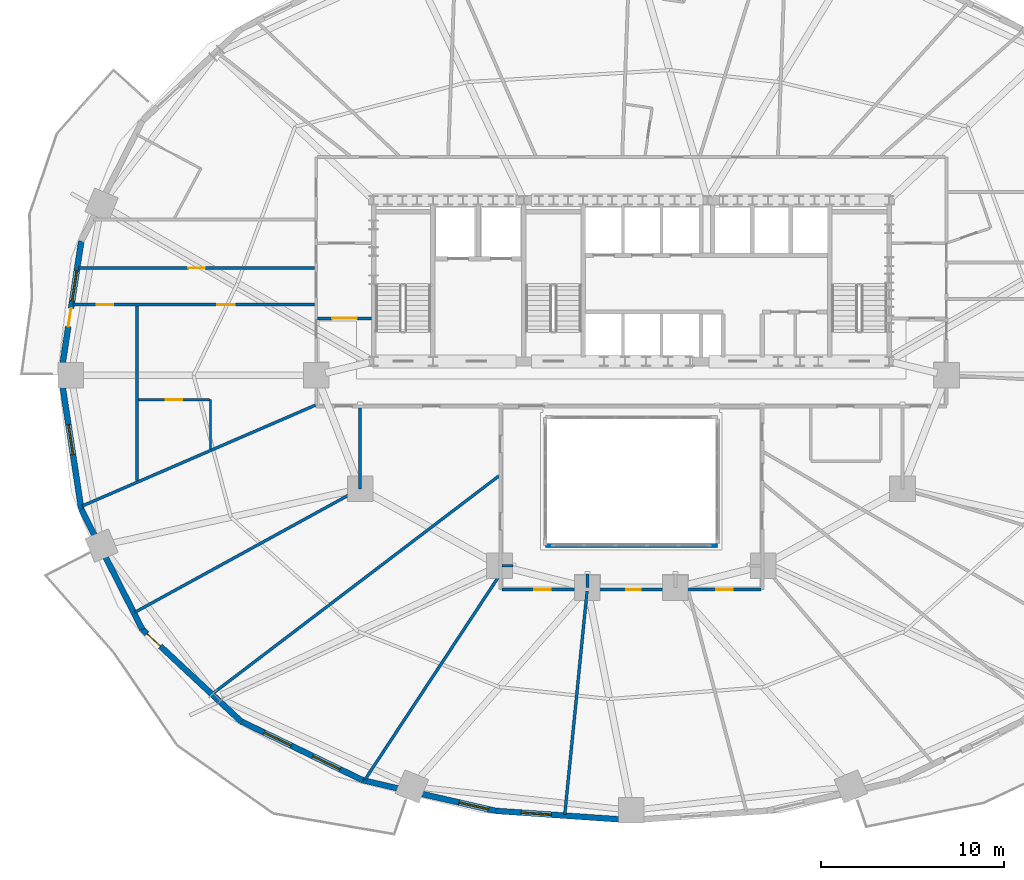
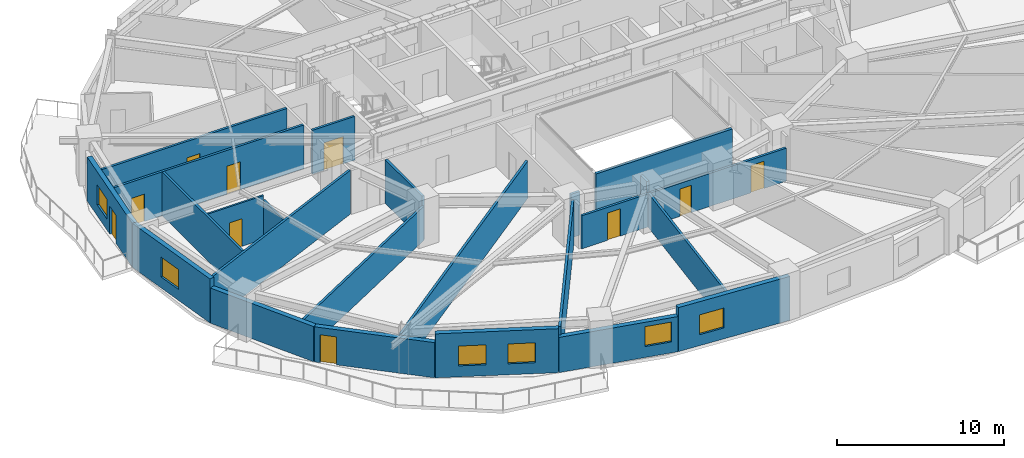
# One storey, part 9 of 18: 23 walls, 10 doors, 6 windows, 16 openings.
"""IFC4 building model written with IfcOpenShell, lengths in metres."""

from ifc_helpers import new_model, si_unit, direction, frame, frame_2d, origin, place, context, subcontext, project, spatial, rectangle, extrude, material, layer, layer_set, type_object, element, fill, save


model = new_model("IFC4")

# Units and contexts
model_context = context("Model", 3, precision=1e-05, world=origin(), true_north=direction((0.0, 1.0)))
body_context = subcontext(model_context, "Body", "Model", "MODEL_VIEW")
ifc_project = project(units=[si_unit("LENGTHUNIT", "METRE"), si_unit("AREAUNIT", "SQUARE_METRE"), si_unit("VOLUMEUNIT", "CUBIC_METRE"), si_unit("PLANEANGLEUNIT", "RADIAN"), si_unit("MASSUNIT", "GRAM", prefix="KILO")], contexts=[model_context])

# Site, building, storey
site_placement = place(None, origin())
site = spatial("IfcSite", under=ifc_project, at=site_placement, CompositionType="ELEMENT")
building_placement = place(site_placement, origin())
building = spatial("IfcBuilding", under=site, at=building_placement, Name="Haldorwick Loom Tower", CompositionType="ELEMENT")
storey_placement = place(building_placement, frame((0.0, 0.0, 48.14990234375)))
storey = spatial("IfcBuildingStorey", under=building, at=storey_placement, Name="L12", CompositionType="ELEMENT", Elevation=48.14990234375)

# Wall, openings, door, window
ifc_material_1 = material(Name="Pressed Clay Face Brick and Insulated Masonry Backup Assembly", Category="masonry")
ifc_layer_1 = layer(ifc_material_1, 0.320068359375, Name="Pressed Clay Face Brick and Insulated Masonry Backup Assembly", Category="masonry")
ifc_layer_set_1 = layer_set([ifc_layer_1], Name="Pressed Clay Face Brick and Insulated Masonry Backup Assembly")
wall_type_1 = type_object("IfcWallType", Name="ARC-WL-EXT320", PredefinedType="STANDARD", material=ifc_layer_set_1)
wall_1_placement = place(storey_placement, frame((5.978271484375, 33.320556640625, 0.0), z_axis=(0.0, 0.0, 1.0), x_axis=(-0.150476322528, -0.988613613278, 0.0)))
wall_1 = element("IfcWall", 1, at=wall_1_placement, inside=storey, type_object=wall_type_1, Name="L12 Brick Pier and Spandrel Wall 12", PredefinedType="STANDARD", context=body_context, shape_type="SweptSolid", body=[
    extrude(rectangle(XDim=7.40478515625, YDim=0.320068359375, at=frame_2d((3.702392578125, 0.0))), origin(), (0.0, 0.0, 1.0), 3.210205078125),
])
opening_1_placement = place(wall_1_placement, frame((3.714599609375, 0.0, 0.0)))
opening_1 = element("IfcOpeningElement", 2, at=opening_1_placement, cuts=wall_1, Name="Opening D-BL10", PredefinedType="OPENING", context=body_context, shape_type="SweptSolid", body=[
    extrude(rectangle(XDim=1.0, YDim=2.0400390625, at=frame_2d((0.5, 1.02001953125))), frame((0.0, 0.169921875, 0.0), z_axis=(0.0, -1.0, 0.0), x_axis=(1.0, 0.0, 0.0)), (0.0, 0.0, 1.0), 0.340087890625),
])
opening_2_placement = place(wall_1_placement, frame((1.653564453125, 0.0, 0.800048828125)))
opening_2 = element("IfcOpeningElement", 3, at=opening_2_placement, cuts=wall_1, Name="Opening W-01B", PredefinedType="OPENING", context=body_context, shape_type="SweptSolid", body=[
    extrude(rectangle(XDim=1.64990234375, YDim=1.449951171875, at=frame_2d((0.824951171875, 0.72509765625))), frame((0.0, 0.169921875, 0.0), z_axis=(0.0, -1.0, 0.0), x_axis=(1.0, 0.0, 0.0)), (0.0, 0.0, 1.0), 0.340087890625),
])
ifc_material_2 = material(Name="Thermally Broken Anodized Aluminium Curtain Wall Framing", Category="aluminium")
door_type_1 = type_object("IfcDoorType", Name="ARC-DR-BAL100", OperationType="NOTDEFINED", PredefinedType="DOOR", material=ifc_material_2)
door_1_placement = place(opening_1_placement, origin())
door_1 = element("IfcDoor", 4, at=door_1_placement, inside=storey, type_object=door_type_1, Name="L12 Outdoor Terrace Door SLB-L12-BAL_WNW", OperationType="SINGLE_SWING_LEFT", OverallHeight=2.0400390625, OverallWidth=1.0, PredefinedType="DOOR", context=body_context, shape_type="SweptSolid", body=[
    extrude(rectangle(XDim=1.0, YDim=2.0400390625, at=frame_2d((0.5, 1.02001953125))), frame((0.0, 0.02490234375, 0.0), z_axis=(0.0, -1.0, 0.0), x_axis=(1.0, 0.0, 0.0)), (0.0, 0.0, 1.0), 0.050048828125),
])
fill(opening_1, door_1)
ifc_material_3 = material(Name="Triple-Glazed Low-E Argon Insulated Glazing Unit", Category="glass")
window_type = type_object("IfcWindowType", Name="ARC-WIN-W165", PartitioningType="SINGLE_PANEL", PredefinedType="WINDOW", material=ifc_material_3)
window_1_placement = place(opening_2_placement, origin())
window_1 = element("IfcWindow", 5, at=window_1_placement, inside=storey, type_object=window_type, Name="L12 Deep-Set Zone 7A Window 12", OverallHeight=1.449951171875, OverallWidth=1.64990234375, PartitioningType="SINGLE_PANEL", PredefinedType="WINDOW", context=body_context, shape_type="SweptSolid", body=[
    extrude(rectangle(XDim=1.64990234375, YDim=1.449951171875, at=frame_2d((0.824951171875, 0.72509765625))), frame((0.0, 0.030029296875, 0.0), z_axis=(0.0, -1.0, 0.0), x_axis=(1.0, 0.0, 0.0)), (0.0, 0.0, 1.0), 0.06005859375),
])
fill(opening_2, window_1)

# Wall, opening, window
wall_2_placement = place(storey_placement, frame((4.864013671875, 26.0, 0.0), z_axis=(0.0, 0.0, 1.0), x_axis=(0.150476322528, -0.988613613278, 0.0)))
wall_2 = element("IfcWall", 6, at=wall_2_placement, inside=storey, type_object=wall_type_1, Name="L12 Brick Pier and Spandrel Wall 13", PredefinedType="STANDARD", context=body_context, shape_type="SweptSolid", body=[
    extrude(rectangle(XDim=7.40478515625, YDim=0.320068359375, at=frame_2d((3.702392578125, 0.0))), origin(), (0.0, 0.0, 1.0), 3.210205078125),
])
opening_3_placement = place(wall_2_placement, frame((2.728271484375, 0.0, 0.800048828125)))
opening_3 = element("IfcOpeningElement", 7, at=opening_3_placement, cuts=wall_2, Name="Opening W-01B", PredefinedType="OPENING", context=body_context, shape_type="SweptSolid", body=[
    extrude(rectangle(XDim=1.64990234375, YDim=1.449951171875, at=frame_2d((0.824951171875, 0.72509765625))), frame((0.0, 0.169921875, 0.0), z_axis=(0.0, -1.0, 0.0), x_axis=(1.0, 0.0, 0.0)), (0.0, 0.0, 1.0), 0.340087890625),
])
window_2_placement = place(opening_3_placement, origin())
window_2 = element("IfcWindow", 8, at=window_2_placement, inside=storey, type_object=window_type, Name="L12 Deep-Set Zone 7A Window 13", OverallHeight=1.449951171875, OverallWidth=1.64990234375, PartitioningType="SINGLE_PANEL", PredefinedType="WINDOW", context=body_context, shape_type="SweptSolid", body=[
    extrude(rectangle(XDim=1.64990234375, YDim=1.449951171875, at=frame_2d((0.824951171875, 0.72509765625))), frame((0.0, 0.030029296875, 0.0), z_axis=(0.0, -1.0, 0.0), x_axis=(1.0, 0.0, 0.0)), (0.0, 0.0, 1.0), 0.06005859375),
])
fill(opening_3, window_2)

# Wall
wall_3_placement = place(storey_placement, frame((5.978271484375, 18.679443359375, 0.0), z_axis=(0.0, 0.0, 1.0), x_axis=(0.452950855928, -0.891535485617, 0.0)))
element("IfcWall", 9, at=wall_3_placement, inside=storey, type_object=wall_type_1, Name="L12 Brick Pier and Spandrel Wall 14", PredefinedType="STANDARD", context=body_context, shape_type="SweptSolid", body=[
    extrude(rectangle(XDim=7.3583984375, YDim=0.320068359375, at=frame_2d((3.67919921875, 0.0))), origin(), (0.0, 0.0, 1.0), 2.569091796875),
])

# Wall, opening, door
wall_4_placement = place(storey_placement, frame((9.311279296875, 12.119140625, 0.0), z_axis=(0.0, 0.0, 1.0), x_axis=(0.73176101237, -0.681561311091, 0.0)))
wall_4 = element("IfcWall", 10, at=wall_4_placement, inside=storey, type_object=wall_type_1, Name="L12 Brick Pier and Spandrel Wall 15", PredefinedType="STANDARD", context=body_context, shape_type="SweptSolid", body=[
    extrude(rectangle(XDim=7.3583984375, YDim=0.320068359375, at=frame_2d((3.67919921875, 0.0))), origin(), (0.0, 0.0, 1.0), 2.569091796875),
])
opening_4_placement = place(wall_4_placement, frame((0.340087890625, 0.0, 0.0)))
opening_4 = element("IfcOpeningElement", 11, at=opening_4_placement, cuts=wall_4, Name="Opening D-BL10", PredefinedType="OPENING", context=body_context, shape_type="SweptSolid", body=[
    extrude(rectangle(XDim=1.0, YDim=2.0400390625, at=frame_2d((0.5, 1.02001953125))), frame((0.0, 0.169921875, 0.0), z_axis=(0.0, -1.0, 0.0), x_axis=(1.0, 0.0, 0.0)), (0.0, 0.0, 1.0), 0.340087890625),
])
door_2_placement = place(opening_4_placement, origin())
door_2 = element("IfcDoor", 12, at=door_2_placement, inside=storey, type_object=door_type_1, Name="L12 Outdoor Terrace Door SLB-L12-BAL_SW", OperationType="SINGLE_SWING_LEFT", OverallHeight=2.0400390625, OverallWidth=1.0, PredefinedType="DOOR", context=body_context, shape_type="SweptSolid", body=[
    extrude(rectangle(XDim=1.0, YDim=2.0400390625, at=frame_2d((0.5, 1.02001953125))), frame((0.0, 0.02490234375, 0.0), z_axis=(0.0, -1.0, 0.0), x_axis=(1.0, 0.0, 0.0)), (0.0, 0.0, 1.0), 0.050048828125),
])
fill(opening_4, door_2)

# Wall, openings, windows
wall_5_placement = place(storey_placement, frame((14.69580078125, 7.10400390625, 0.0), z_axis=(0.0, 0.0, 1.0), x_axis=(0.900295710431, -0.435278800057, 0.0)))
wall_5 = element("IfcWall", 13, at=wall_5_placement, inside=storey, type_object=wall_type_1, Name="L12 Brick Pier and Spandrel Wall 16", PredefinedType="STANDARD", context=body_context, shape_type="SweptSolid", body=[
    extrude(rectangle(XDim=7.39697265625, YDim=0.320068359375, at=frame_2d((3.698486328125, 0.0))), origin(), (0.0, 0.0, 1.0), 3.210205078125),
])
opening_5_placement = place(wall_5_placement, frame((1.39404296875, 0.0, 0.800048828125)))
opening_5 = element("IfcOpeningElement", 14, at=opening_5_placement, cuts=wall_5, Name="Opening W-01B", PredefinedType="OPENING", context=body_context, shape_type="SweptSolid", body=[
    extrude(rectangle(XDim=1.64990234375, YDim=1.449951171875, at=frame_2d((0.824951171875, 0.72509765625))), frame((0.0, 0.169921875, 0.0), z_axis=(0.0, -1.0, 0.0), x_axis=(1.0, 0.0, 0.0)), (0.0, 0.0, 1.0), 0.340087890625),
])
opening_6_placement = place(wall_5_placement, frame((4.352783203125, 0.0, 0.800048828125)))
opening_6 = element("IfcOpeningElement", 15, at=opening_6_placement, cuts=wall_5, Name="Opening W-01B", PredefinedType="OPENING", context=body_context, shape_type="SweptSolid", body=[
    extrude(rectangle(XDim=1.64990234375, YDim=1.449951171875, at=frame_2d((0.824951171875, 0.72509765625))), frame((0.0, 0.169921875, 0.0), z_axis=(0.0, -1.0, 0.0), x_axis=(1.0, 0.0, 0.0)), (0.0, 0.0, 1.0), 0.340087890625),
])
window_3_placement = place(opening_5_placement, origin())
window_3 = element("IfcWindow", 16, at=window_3_placement, inside=storey, type_object=window_type, Name="L12 Deep-Set Zone 7A Window 16", OverallHeight=1.449951171875, OverallWidth=1.64990234375, PartitioningType="SINGLE_PANEL", PredefinedType="WINDOW", context=body_context, shape_type="SweptSolid", body=[
    extrude(rectangle(XDim=1.64990234375, YDim=1.449951171875, at=frame_2d((0.824951171875, 0.72509765625))), frame((0.0, 0.030029296875, 0.0), z_axis=(0.0, -1.0, 0.0), x_axis=(1.0, 0.0, 0.0)), (0.0, 0.0, 1.0), 0.06005859375),
])
fill(opening_5, window_3)
window_4_placement = place(opening_6_placement, origin())
window_4 = element("IfcWindow", 17, at=window_4_placement, inside=storey, type_object=window_type, Name="L12 Deep-Set Zone 7A Window 16", OverallHeight=1.449951171875, OverallWidth=1.64990234375, PartitioningType="SINGLE_PANEL", PredefinedType="WINDOW", context=body_context, shape_type="SweptSolid", body=[
    extrude(rectangle(XDim=1.64990234375, YDim=1.449951171875, at=frame_2d((0.824951171875, 0.72509765625))), frame((0.0, 0.030029296875, 0.0), z_axis=(0.0, -1.0, 0.0), x_axis=(1.0, 0.0, 0.0)), (0.0, 0.0, 1.0), 0.06005859375),
])
fill(opening_6, window_4)

# Wall, opening, window
wall_6_placement = place(storey_placement, frame((21.355224609375, 3.88427734375, 0.0), z_axis=(0.0, 0.0, 1.0), x_axis=(0.974522412345, -0.224290142088, 0.0)))
wall_6 = element("IfcWall", 18, at=wall_6_placement, inside=storey, type_object=wall_type_1, Name="L12 Brick Pier and Spandrel Wall 17", PredefinedType="STANDARD", context=body_context, shape_type="SweptSolid", body=[
    extrude(rectangle(XDim=7.422607421875, YDim=0.320068359375, at=frame_2d((3.71142578125, 0.0))), origin(), (0.0, 0.0, 1.0), 2.569091796875),
])
opening_7_placement = place(wall_6_placement, frame((5.37255859375, 0.0, 0.800048828125)))
opening_7 = element("IfcOpeningElement", 19, at=opening_7_placement, cuts=wall_6, Name="Opening W-01B", PredefinedType="OPENING", context=body_context, shape_type="SweptSolid", body=[
    extrude(rectangle(XDim=1.64990234375, YDim=1.449951171875, at=frame_2d((0.824951171875, 0.72509765625))), frame((0.0, 0.169921875, 0.0), z_axis=(0.0, -1.0, 0.0), x_axis=(1.0, 0.0, 0.0)), (0.0, 0.0, 1.0), 0.340087890625),
])
window_5_placement = place(opening_7_placement, origin())
window_5 = element("IfcWindow", 20, at=window_5_placement, inside=storey, type_object=window_type, Name="L12 Deep-Set Zone 7A Window 17", OverallHeight=1.449951171875, OverallWidth=1.64990234375, PartitioningType="SINGLE_PANEL", PredefinedType="WINDOW", context=body_context, shape_type="SweptSolid", body=[
    extrude(rectangle(XDim=1.64990234375, YDim=1.449951171875, at=frame_2d((0.824951171875, 0.72509765625))), frame((0.0, 0.030029296875, 0.0), z_axis=(0.0, -1.0, 0.0), x_axis=(1.0, 0.0, 0.0)), (0.0, 0.0, 1.0), 0.06005859375),
])
fill(opening_7, window_5)

wall_7_placement = place(storey_placement, frame((28.588623046875, 2.219482421875, 0.0), z_axis=(0.0, 0.0, 1.0), x_axis=(0.997645161917, -0.068586667092, 0.0)))
wall_7 = element("IfcWall", 21, at=wall_7_placement, inside=storey, type_object=wall_type_1, Name="L12 Brick Pier and Spandrel Wall 18", PredefinedType="STANDARD", context=body_context, shape_type="SweptSolid", body=[
    extrude(rectangle(XDim=7.428955078125, YDim=0.320068359375, at=frame_2d((3.71435546875, 0.0))), origin(), (0.0, 0.0, 1.0), 3.210205078125),
])
opening_8_placement = place(wall_7_placement, frame((1.403564453125, 0.0, 0.800048828125)))
opening_8 = element("IfcOpeningElement", 22, at=opening_8_placement, cuts=wall_7, Name="Opening W-01B", PredefinedType="OPENING", context=body_context, shape_type="SweptSolid", body=[
    extrude(rectangle(XDim=1.64990234375, YDim=1.449951171875, at=frame_2d((0.824951171875, 0.72509765625))), frame((0.0, 0.169921875, 0.0), z_axis=(0.0, -1.0, 0.0), x_axis=(1.0, 0.0, 0.0)), (0.0, 0.0, 1.0), 0.340087890625),
])
window_6_placement = place(opening_8_placement, origin())
window_6 = element("IfcWindow", 23, at=window_6_placement, inside=storey, type_object=window_type, Name="L12 Deep-Set Zone 7A Window 18", OverallHeight=1.449951171875, OverallWidth=1.64990234375, PartitioningType="SINGLE_PANEL", PredefinedType="WINDOW", context=body_context, shape_type="SweptSolid", body=[
    extrude(rectangle(XDim=1.64990234375, YDim=1.449951171875, at=frame_2d((0.824951171875, 0.72509765625))), frame((0.0, 0.030029296875, 0.0), z_axis=(0.0, -1.0, 0.0), x_axis=(1.0, 0.0, 0.0)), (0.0, 0.0, 1.0), 0.06005859375),
])
fill(opening_8, window_6)

# Wall, opening, door
ifc_material_4 = material(Name="Fire-Rated Type X Gypsum Stud Assembly EI 60")
ifc_layer_2 = layer(ifc_material_4, 0.159912109375, Name="Fire-Rated Type X Gypsum Stud Assembly EI 60")
ifc_layer_set_2 = layer_set([ifc_layer_2], Name="Fire-Rated Type X Gypsum Stud Assembly EI 60")
wall_type_2 = type_object("IfcWallType", Name="ARC-WL-FIRE160", PredefinedType="PARTITIONING", material=ifc_layer_set_2)
wall_8_placement = place(storey_placement, frame((18.883056640625, 29.10009765625, 0.0), z_axis=(0.0, 0.0, 1.0), x_axis=(1.0, 0.0, 0.0)))
wall_8 = element("IfcWall", 24, at=wall_8_placement, inside=storey, type_object=wall_type_2, Name="L12 Residential Fire Partition L12-CR-WSJ", PredefinedType="PARTITIONING", context=body_context, shape_type="SweptSolid", body=[
    extrude(rectangle(XDim=2.923828125, YDim=0.159912109375, at=frame_2d((1.4619140625, 0.0))), origin(), (0.0, 0.0, 1.0), 3.195068359375),
])
opening_9_placement = place(wall_8_placement, frame((0.787109375, 0.0, 0.0)))
opening_9 = element("IfcOpeningElement", 25, at=opening_9_placement, cuts=wall_8, Name="Opening D-CR15", PredefinedType="OPENING", context=body_context, shape_type="SweptSolid", body=[
    extrude(rectangle(XDim=1.35009765625, YDim=2.0, at=frame_2d((0.675048828125, 1.0))), frame((0.0, 0.08984375, 0.0), z_axis=(0.0, -1.0, 0.0), x_axis=(1.0, 0.0, 0.0)), (0.0, 0.0, 1.0), 0.179931640625),
])
ifc_material_5 = material(Name="Thermally Broken Anodized Aluminium and Tempered Glass", Category="aluminium")
door_type_2 = type_object("IfcDoorType", Name="ARC-DR-COR150", OperationType="NOTDEFINED", PredefinedType="DOOR", material=ifc_material_5)
door_3_placement = place(opening_9_placement, origin())
door_3 = element("IfcDoor", 26, at=door_3_placement, inside=storey, type_object=door_type_2, Name="L12 L12 West Residential Corridor to L12 Central Residential Corridor Do", OperationType="DOUBLE_DOOR_SINGLE_SWING", OverallHeight=2.0, OverallWidth=1.35009765625, PredefinedType="DOOR", context=body_context, shape_type="SweptSolid", body=[
    extrude(rectangle(XDim=1.35009765625, YDim=2.0, at=frame_2d((0.675048828125, 1.0))), frame((0.0, 0.02490234375, 0.0), z_axis=(0.0, -1.0, 0.0), x_axis=(1.0, 0.0, 0.0)), (0.0, 0.0, 1.0), 0.050048828125),
])
fill(opening_9, door_3)

# Wall, openings, doors
wall_9_placement = place(storey_placement, frame((28.93310546875, 14.300048828125, 0.0), z_axis=(0.0, 0.0, 1.0), x_axis=(1.0, 0.0, 0.0)))
wall_9 = element("IfcWall", 27, at=wall_9_placement, inside=storey, type_object=wall_type_2, Name="L12 Residential Fire Partition L12-CR-AS", PredefinedType="PARTITIONING", context=body_context, shape_type="SweptSolid", body=[
    extrude(rectangle(XDim=14.1337890625, YDim=0.159912109375, at=frame_2d((7.06689453125, 0.0))), origin(), (0.0, 0.0, 1.0), 2.412109375),
])
opening_10_placement = place(wall_9_placement, frame((1.77880859375, 0.0, 0.0)))
opening_10 = element("IfcOpeningElement", 28, at=opening_10_placement, cuts=wall_9, Name="Opening D-FD60A", PredefinedType="OPENING", context=body_context, shape_type="SweptSolid", body=[
    extrude(rectangle(XDim=0.89990234375, YDim=2.0, at=frame_2d((0.449951171875, 1.0))), frame((0.0, 0.08984375, 0.0), z_axis=(0.0, -1.0, 0.0), x_axis=(1.0, 0.0, 0.0)), (0.0, 0.0, 1.0), 0.179931640625),
])
opening_11_placement = place(wall_9_placement, frame((11.6962890625, 0.0, 0.0)))
opening_11 = element("IfcOpeningElement", 29, at=opening_11_placement, cuts=wall_9, Name="Opening D-FD60A", PredefinedType="OPENING", context=body_context, shape_type="SweptSolid", body=[
    extrude(rectangle(XDim=0.89990234375, YDim=2.0, at=frame_2d((0.449951171875, 1.0))), frame((0.0, 0.08984375, 0.0), z_axis=(0.0, -1.0, 0.0), x_axis=(1.0, 0.0, 0.0)), (0.0, 0.0, 1.0), 0.179931640625),
])
opening_12_placement = place(wall_9_placement, frame((6.77880859375, 0.0, 0.0)))
opening_12 = element("IfcOpeningElement", 30, at=opening_12_placement, cuts=wall_9, Name="Opening D-FD80", PredefinedType="OPENING", context=body_context, shape_type="SweptSolid", body=[
    extrude(rectangle(XDim=0.800048828125, YDim=2.0, at=frame_2d((0.39990234375, 1.0))), frame((0.0, 0.08984375, 0.0), z_axis=(0.0, -1.0, 0.0), x_axis=(1.0, 0.0, 0.0)), (0.0, 0.0, 1.0), 0.179931640625),
])
ifc_material_6 = material(Name="Hollow Steel Fire Door Assembly", Category="steel")
door_type_3 = type_object("IfcDoorType", Name="ARC-DR-FD60-80", OperationType="NOTDEFINED", PredefinedType="DOOR", material=ifc_material_6)
door_4_placement = place(opening_12_placement, origin())
door_4 = element("IfcDoor", 31, at=door_4_placement, inside=storey, type_object=door_type_3, Name="L12 L12 South Atrium Corridor to Community Teaching Classroom 8 Door", OperationType="SINGLE_SWING_LEFT", OverallHeight=2.0, OverallWidth=0.800048828125, PredefinedType="DOOR", context=body_context, shape_type="SweptSolid", body=[
    extrude(rectangle(XDim=0.800048828125, YDim=2.0, at=frame_2d((0.39990234375, 1.0))), frame((0.0, 0.02490234375, 0.0), z_axis=(0.0, -1.0, 0.0), x_axis=(1.0, 0.0, 0.0)), (0.0, 0.0, 1.0), 0.050048828125),
])
fill(opening_12, door_4)
door_type_4 = type_object("IfcDoorType", Name="ARC-DR-FD60-90", OperationType="NOTDEFINED", PredefinedType="DOOR", material=ifc_material_6)
door_5_placement = place(opening_10_placement, origin())
door_5 = element("IfcDoor", 32, at=door_5_placement, inside=storey, type_object=door_type_4, Name="L12 L12 South Atrium Corridor to Community Teaching Classroom 15 Door", OperationType="SINGLE_SWING_RIGHT", OverallHeight=2.0, OverallWidth=0.89990234375, PredefinedType="DOOR", context=body_context, shape_type="SweptSolid", body=[
    extrude(rectangle(XDim=0.89990234375, YDim=2.0, at=frame_2d((0.449951171875, 1.0))), frame((0.0, 0.02490234375, 0.0), z_axis=(0.0, -1.0, 0.0), x_axis=(1.0, 0.0, 0.0)), (0.0, 0.0, 1.0), 0.050048828125),
])
fill(opening_10, door_5)
door_6_placement = place(opening_11_placement, origin())
door_6 = element("IfcDoor", 33, at=door_6_placement, inside=storey, type_object=door_type_4, Name="L12 L12 South Atrium Corridor to Community Teaching Classroom 9 Door", OperationType="SINGLE_SWING_LEFT", OverallHeight=2.0, OverallWidth=0.89990234375, PredefinedType="DOOR", context=body_context, shape_type="SweptSolid", body=[
    extrude(rectangle(XDim=0.89990234375, YDim=2.0, at=frame_2d((0.449951171875, 1.0))), frame((0.0, 0.02490234375, 0.0), z_axis=(0.0, -1.0, 0.0), x_axis=(1.0, 0.0, 0.0)), (0.0, 0.0, 1.0), 0.050048828125),
])
fill(opening_11, door_6)

wall_10_placement = place(storey_placement, frame((5.515625, 29.85009765625, 0.0), z_axis=(0.0, 0.0, 1.0), x_axis=(1.0, 0.0, 0.0)))
wall_10 = element("IfcWall", 34, at=wall_10_placement, inside=storey, type_object=wall_type_2, Name="L12 Residential Fire Partition L12-CR-GW0", PredefinedType="PARTITIONING", context=body_context, shape_type="SweptSolid", body=[
    extrude(rectangle(XDim=13.201416015625, YDim=0.159912109375, at=frame_2d((6.6005859375, 0.0))), origin(), (0.0, 0.0, 1.0), 3.195068359375),
])
opening_13_placement = place(wall_10_placement, frame((7.8857421875, 0.0, 0.0)))
opening_13 = element("IfcOpeningElement", 35, at=opening_13_placement, cuts=wall_10, Name="Opening D-FL95", PredefinedType="OPENING", context=body_context, shape_type="SweptSolid", body=[
    extrude(rectangle(XDim=0.949951171875, YDim=2.0400390625, at=frame_2d((0.47509765625, 1.02001953125))), frame((0.0, 0.08984375, 0.0), z_axis=(0.0, -1.0, 0.0), x_axis=(1.0, 0.0, 0.0)), (0.0, 0.0, 1.0), 0.179931640625),
])
opening_14_placement = place(wall_10_placement, frame((1.310302734375, 0.0, 0.0)))
opening_14 = element("IfcOpeningElement", 36, at=opening_14_placement, cuts=wall_10, Name="Opening D-FD60A", PredefinedType="OPENING", context=body_context, shape_type="SweptSolid", body=[
    extrude(rectangle(XDim=0.89990234375, YDim=2.0, at=frame_2d((0.449951171875, 1.0))), frame((0.0, 0.08984375, 0.0), z_axis=(0.0, -1.0, 0.0), x_axis=(1.0, 0.0, 0.0)), (0.0, 0.0, 1.0), 0.179931640625),
])
door_7_placement = place(opening_14_placement, origin())
door_7 = element("IfcDoor", 37, at=door_7_placement, inside=storey, type_object=door_type_4, Name="L12 L12 West Daylight Corridor to Community Teaching Classroom 18 Door", OperationType="SINGLE_SWING_RIGHT", OverallHeight=2.0, OverallWidth=0.89990234375, PredefinedType="DOOR", context=body_context, shape_type="SweptSolid", body=[
    extrude(rectangle(XDim=0.89990234375, YDim=2.0, at=frame_2d((0.449951171875, 1.0))), frame((0.0, 0.02490234375, 0.0), z_axis=(0.0, -1.0, 0.0), x_axis=(1.0, 0.0, 0.0)), (0.0, 0.0, 1.0), 0.050048828125),
])
fill(opening_14, door_7)
ifc_material_7 = material(Name="Solid Core Birch Architectural Door")
door_type_5 = type_object("IfcDoorType", Name="ARC-DR-FLAT95", OperationType="NOTDEFINED", PredefinedType="DOOR", material=ifc_material_7)
door_8_placement = place(opening_13_placement, origin())
door_8 = element("IfcDoor", 38, at=door_8_placement, inside=storey, type_object=door_type_5, Name="L12 L12 West Daylight Corridor to Unit 12L Kitchen and Studio Living Roo", OperationType="SINGLE_SWING_RIGHT", OverallHeight=2.0400390625, OverallWidth=0.949951171875, PredefinedType="DOOR", context=body_context, shape_type="SweptSolid", body=[
    extrude(rectangle(XDim=0.949951171875, YDim=2.0400390625, at=frame_2d((0.47509765625, 1.02001953125))), frame((0.0, 0.02490234375, 0.0), z_axis=(0.0, -1.0, 0.0), x_axis=(1.0, 0.0, 0.0)), (0.0, 0.0, 1.0), 0.050048828125),
])
fill(opening_13, door_8)

# Wall, opening, door
wall_11_placement = place(storey_placement, frame((5.820068359375, 31.85009765625, 0.0), z_axis=(0.0, 0.0, 1.0), x_axis=(1.0, 0.0, 0.0)))
wall_11 = element("IfcWall", 39, at=wall_11_placement, inside=storey, type_object=wall_type_2, Name="L12 Residential Fire Partition L12-CR-GW1", PredefinedType="PARTITIONING", context=body_context, shape_type="SweptSolid", body=[
    extrude(rectangle(XDim=12.89697265625, YDim=0.159912109375, at=frame_2d((6.448486328125, 0.0))), origin(), (0.0, 0.0, 1.0), 3.195068359375),
])
opening_15_placement = place(wall_11_placement, frame((5.99853515625, 0.0, 0.0)))
opening_15 = element("IfcOpeningElement", 40, at=opening_15_placement, cuts=wall_11, Name="Opening D-FD60A", PredefinedType="OPENING", context=body_context, shape_type="SweptSolid", body=[
    extrude(rectangle(XDim=0.89990234375, YDim=2.0, at=frame_2d((0.449951171875, 1.0))), frame((0.0, 0.08984375, 0.0), z_axis=(0.0, -1.0, 0.0), x_axis=(1.0, 0.0, 0.0)), (0.0, 0.0, 1.0), 0.179931640625),
])
door_9_placement = place(opening_15_placement, frame((0.89990234375, 0.0, 0.0), z_axis=(0.0, 0.0, 1.0), x_axis=(-1.0, 0.0, 0.0)))
door_9 = element("IfcDoor", 41, at=door_9_placement, inside=storey, type_object=door_type_4, Name="L12 Board Study Room 3 to L12 West Daylight Corridor Door", OperationType="SINGLE_SWING_RIGHT", OverallHeight=2.0, OverallWidth=0.89990234375, PredefinedType="DOOR", context=body_context, shape_type="SweptSolid", body=[
    extrude(rectangle(XDim=0.89990234375, YDim=2.0, at=frame_2d((0.449951171875, 1.0))), frame((0.0, 0.02490234375, 0.0), z_axis=(0.0, -1.0, 0.0), x_axis=(1.0, 0.0, 0.0)), (0.0, 0.0, 1.0), 0.050048828125),
])
fill(opening_15, door_9)

# Walls
wall_12_placement = place(storey_placement, frame((33.581787109375, 14.217041015625, 0.0), z_axis=(0.0, 0.0, 1.0), x_axis=(-0.099130843149, -0.995074407236, 0.0)))
element("IfcWall", 42, at=wall_12_placement, inside=storey, type_object=wall_type_2, Name="L12 Residential Fire Partition L12-ICR-08", PredefinedType="PARTITIONING", context=body_context, shape_type="SweptSolid", body=[
    extrude(rectangle(XDim=12.25244140625, YDim=0.159912109375, at=frame_2d((6.126220703125, 0.0))), origin(), (0.0, 0.0, 1.0), 2.489990234375),
])
wall_13_placement = place(storey_placement, frame((21.199951171875, 19.800048828125, 0.0), z_axis=(0.0, 0.0, 1.0), x_axis=(-0.876894100386, -0.480683613938, 0.0)))
element("IfcWall", 43, at=wall_13_placement, inside=storey, type_object=wall_type_2, Name="L12 Residential Fire Partition L12-ICR-11", PredefinedType="PARTITIONING", context=body_context, shape_type="SweptSolid", body=[
    extrude(rectangle(XDim=14.020263671875, YDim=0.159912109375, at=frame_2d((7.01025390625, 0.0))), origin(), (0.0, 0.0, 1.0), 2.489990234375),
])
wall_14_placement = place(storey_placement, frame((33.60009765625, 15.14990234375, 0.0), z_axis=(0.0, 0.0, 1.0), x_axis=(0.0, -1.0, 0.0)))
element("IfcWall", 44, at=wall_14_placement, inside=storey, type_object=wall_type_2, Name="L12 Residential Fire Partition L12-ICA-07", PredefinedType="PARTITIONING", context=body_context, shape_type="SweptSolid", body=[
    extrude(rectangle(XDim=0.75, YDim=0.159912109375, at=frame_2d((0.375, 0.0))), origin(), (0.0, 0.0, 1.0), 3.195068359375),
])
wall_15_placement = place(storey_placement, frame((29.550048828125, 15.60009765625, 0.0), z_axis=(0.0, 0.0, 1.0), x_axis=(-1.0, 0.0, 0.0)))
element("IfcWall", 45, at=wall_15_placement, inside=storey, type_object=wall_type_2, Name="L12 Residential Fire Partition L12-ICA-09", PredefinedType="PARTITIONING", context=body_context, shape_type="SweptSolid", body=[
    extrude(rectangle(XDim=0.616943359375, YDim=0.159912109375, at=frame_2d((0.30859375, 0.0))), origin(), (0.0, 0.0, 1.0), 3.195068359375),
])
wall_16_placement = place(storey_placement, frame((21.199951171875, 24.217041015625, 0.0), z_axis=(0.0, 0.0, 1.0), x_axis=(0.0, -1.0, 0.0)))
element("IfcWall", 46, at=wall_16_placement, inside=storey, type_object=wall_type_2, Name="L12 Residential Fire Partition L12-ICA-10", PredefinedType="PARTITIONING", context=body_context, shape_type="SweptSolid", body=[
    extrude(rectangle(XDim=4.4169921875, YDim=0.159912109375, at=frame_2d((2.20849609375, 0.0))), origin(), (0.0, 0.0, 1.0), 3.195068359375),
])
wall_17_placement = place(storey_placement, frame((28.76708984375, 20.498779296875, 0.0), z_axis=(0.0, 0.0, 1.0), x_axis=(-0.795953215625, -0.605358140721, 0.0)))
element("IfcWall", 47, at=wall_17_placement, inside=storey, type_object=wall_type_2, Name="L12 Suite Split Wall", PredefinedType="PARTITIONING", context=body_context, shape_type="SweptSolid", body=[
    extrude(rectangle(XDim=19.612548828125, YDim=0.159912109375, at=frame_2d((9.80615234375, 0.0))), origin(), (0.0, 0.0, 1.0), 2.718994140625),
])
wall_18_placement = place(storey_placement, frame((6.01708984375, 18.85546875, 0.0), z_axis=(0.0, 0.0, 1.0), x_axis=(0.917855823935, 0.396913953483, 0.0)))
element("IfcWall", 48, at=wall_18_placement, inside=storey, type_object=wall_type_2, Name="L12 Suite Split Wall", PredefinedType="PARTITIONING", context=body_context, shape_type="SweptSolid", body=[
    extrude(rectangle(XDim=13.88330078125, YDim=0.159912109375, at=frame_2d((6.941650390625, 0.0))), origin(), (0.0, 0.0, 1.0), 3.195068359375),
])
wall_19_placement = place(storey_placement, frame((28.76708984375, 15.018798828125, 0.0), z_axis=(0.0, 0.0, 1.0), x_axis=(-0.550076561754, -0.835114229438, 0.0)))
element("IfcWall", 49, at=wall_19_placement, inside=storey, type_object=wall_type_2, Name="L12 Suite Split Wall", PredefinedType="PARTITIONING", context=body_context, shape_type="SweptSolid", body=[
    extrude(rectangle(XDim=13.281982421875, YDim=0.159912109375, at=frame_2d((6.64111328125, 0.0))), origin(), (0.0, 0.0, 1.0), 3.195068359375),
])
wall_20_placement = place(storey_placement, frame((9.018310546875, 20.243896484375, 0.0), z_axis=(0.0, 0.0, 1.0), x_axis=(0.0, 1.0, 0.0)))
element("IfcWall", 50, at=wall_20_placement, inside=storey, type_object=wall_type_2, Name="L12 Suite Split Wall", PredefinedType="PARTITIONING", context=body_context, shape_type="SweptSolid", body=[
    extrude(rectangle(XDim=9.523193359375, YDim=0.159912109375, at=frame_2d((4.76171875, 0.0))), origin(), (0.0, 0.0, 1.0), 3.195068359375),
])
ifc_material_8 = material(Name="Fire-Rated Type X Gypsum Stud Assembly EI 120")
ifc_layer_3 = layer(ifc_material_8, 0.199951171875, Name="Fire-Rated Type X Gypsum Stud Assembly EI 120")
ifc_layer_set_3 = layer_set([ifc_layer_3], Name="Fire-Rated Type X Gypsum Stud Assembly EI 120")
wall_type_3 = type_object("IfcWallType", Name="ARC-WL-FIRE200", PredefinedType="PARTITIONING", material=ifc_layer_set_3)
wall_21_placement = place(storey_placement, frame((40.699951171875, 16.699951171875, 0.0), z_axis=(0.0, 0.0, 1.0), x_axis=(-1.0, 0.0, 0.0)))
element("IfcWall", 51, at=wall_21_placement, inside=storey, type_object=wall_type_3, Name="L12 Atrium Fire Enclosure Wall S", PredefinedType="PARTITIONING", context=body_context, shape_type="SweptSolid", body=[
    extrude(rectangle(XDim=9.39990234375, YDim=0.199951171875, at=frame_2d((4.699951171875, 0.0))), origin(), (0.0, 0.0, 1.0), 3.195068359375),
])
ifc_material_9 = material(Name="Acoustic Gypsum Stud Assembly STC 55")
ifc_layer_4 = layer(ifc_material_9, 0.1201171875, Name="Acoustic Gypsum Stud Assembly STC 55")
ifc_layer_set_4 = layer_set([ifc_layer_4], Name="Acoustic Gypsum Stud Assembly STC 55")
wall_type_4 = type_object("IfcWallType", Name="ARC-WL-PART120", PredefinedType="PARTITIONING", material=ifc_layer_set_4)
wall_22_placement = place(storey_placement, frame((13.0322265625, 24.662841796875, 0.0), z_axis=(0.0, 0.0, 1.0), x_axis=(0.001365621451, -0.999999067539, 0.0)))
element("IfcWall", 52, at=wall_22_placement, inside=storey, type_object=wall_type_4, Name="L12 Unit 12L Interior Partition", PredefinedType="PARTITIONING", context=body_context, shape_type="SweptSolid", body=[
    extrude(rectangle(XDim=2.681640625, YDim=0.1201171875, at=frame_2d((1.3408203125, 0.0))), origin(), (0.0, 0.0, 1.0), 2.8271484375),
])

# Wall, opening, door
wall_23_placement = place(storey_placement, frame((12.96923828125, 24.66259765625, 0.0), z_axis=(0.0, 0.0, 1.0), x_axis=(-0.99999903586, -0.001388624553, 0.0)))
wall_23 = element("IfcWall", 53, at=wall_23_placement, inside=storey, type_object=wall_type_4, Name="L12 Unit 12L Interior Partition", PredefinedType="PARTITIONING", context=body_context, shape_type="SweptSolid", body=[
    extrude(rectangle(XDim=3.867919921875, YDim=0.1201171875, at=frame_2d((1.93408203125, 0.0))), origin(), (0.0, 0.0, 1.0), 3.195068359375),
])
opening_16_placement = place(wall_23_placement, frame((1.493896484375, 0.0, 0.0)))
opening_16 = element("IfcOpeningElement", 54, at=opening_16_placement, cuts=wall_23, Name="Opening D-BT88", PredefinedType="OPENING", context=body_context, shape_type="SweptSolid", body=[
    extrude(rectangle(XDim=0.8798828125, YDim=2.02001953125, at=frame_2d((0.43994140625, 1.010009765625))), frame((0.0, 0.070068359375, 0.0), z_axis=(0.0, -1.0, 0.0), x_axis=(1.0, 0.0, 0.0)), (0.0, 0.0, 1.0), 0.14013671875),
])
door_type_6 = type_object("IfcDoorType", Name="ARC-DR-BATH88", OperationType="NOTDEFINED", PredefinedType="DOOR", material=ifc_material_7)
door_10_placement = place(opening_16_placement, origin())
door_10 = element("IfcDoor", 55, at=door_10_placement, inside=storey, type_object=door_type_6, Name="L12 Unit 12L Bathroom to Unit 12L Kitchen and Studio Living Room Door", OperationType="SINGLE_SWING_LEFT", OverallHeight=2.02001953125, OverallWidth=0.8798828125, PredefinedType="DOOR", context=body_context, shape_type="SweptSolid", body=[
    extrude(rectangle(XDim=0.8798828125, YDim=2.02001953125, at=frame_2d((0.43994140625, 1.010009765625))), frame((0.0, 0.02490234375, 0.0), z_axis=(0.0, -1.0, 0.0), x_axis=(1.0, 0.0, 0.0)), (0.0, 0.0, 1.0), 0.050048828125),
])
fill(opening_16, door_10)

save(model, "model.ifc")
